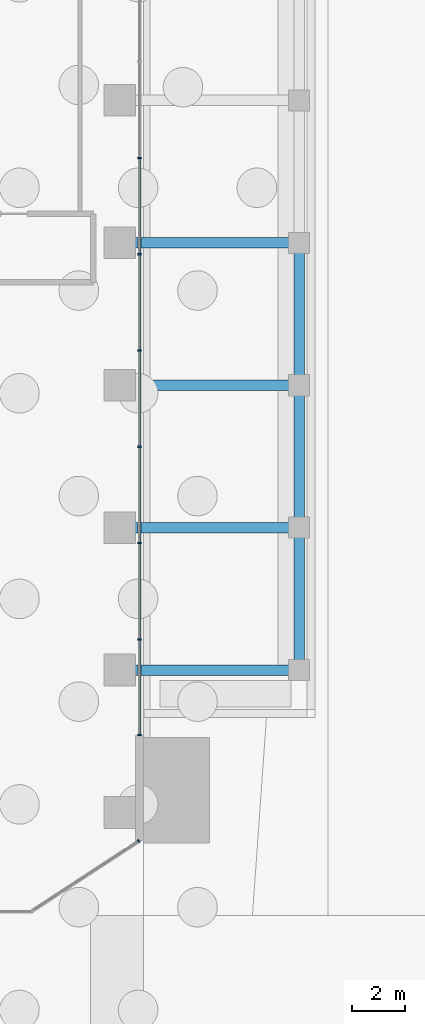
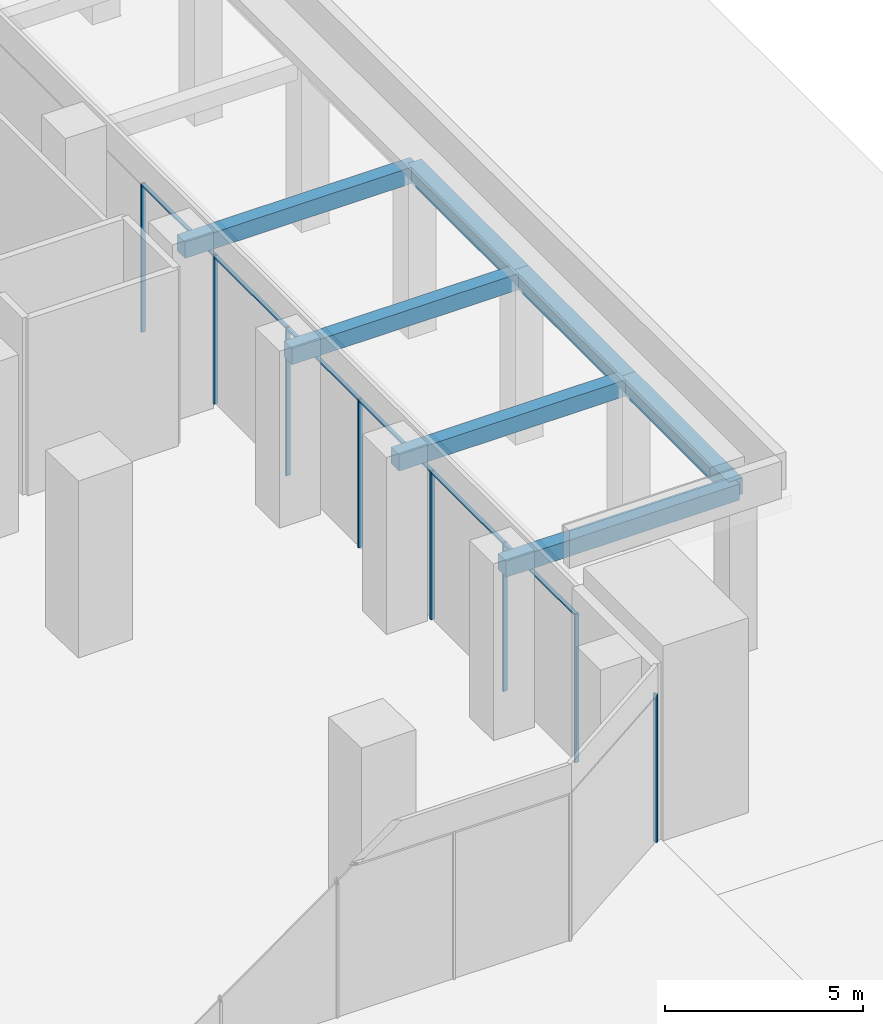
# One storey, part 29 of 46: 14 members, 7 beams, 2 elements without a shape of their own.
"""IFC4 building model written with IfcOpenShell, lengths in metres."""

from ifc_helpers import new_model, si_unit, direction, frame, origin, origin_2d, place, context, subcontext, project, spatial, rectangle, extrude, material, material_profile, profile_set, type_object, element, aggregate, save


model = new_model("IFC4")

# Units and contexts
model_context = context("Model", 3, precision=1e-05, world=origin(), true_north=direction((0.0, 1.0)))
body_context = subcontext(model_context, "Body", "Model", "MODEL_VIEW")
ifc_project = project(units=[si_unit("LENGTHUNIT", "METRE"), si_unit("AREAUNIT", "SQUARE_METRE"), si_unit("VOLUMEUNIT", "CUBIC_METRE"), si_unit("PLANEANGLEUNIT", "RADIAN"), si_unit("MASSUNIT", "GRAM", prefix="KILO")], contexts=[model_context])

# Site, building, storey
site_placement = place(None, origin())
site = spatial("IfcSite", under=ifc_project, at=site_placement, CompositionType="ELEMENT")
building_placement = place(site_placement, origin())
building = spatial("IfcBuilding", under=site, at=building_placement, Name="Mangrove Gate Tower", CompositionType="ELEMENT")
storey_placement = place(building_placement, origin())
storey = spatial("IfcBuildingStorey", under=building, at=storey_placement, Name="L00", CompositionType="ELEMENT", Elevation=0.0)

# Beams
ifc_material_1 = material(Name="Concrete C70/85", Category="concrete")
ifc_material_profile_1 = material_profile(ifc_material_1, rectangle(XDim=0.39990234375, YDim=0.5, at=origin_2d()))
ifc_profile_set_1 = profile_set([ifc_material_profile_1], Name="Concrete C70/85")
beam_type = type_object("IfcBeamType", Name="Canopy beam RC 400x500 C70/85", PredefinedType="BEAM", material=ifc_profile_set_1)
beam_1_placement = place(storey_placement, frame((42.10009765625, -2.699951171875, 4.830078125), z_axis=(0.0, 1.0, 0.0), x_axis=(-1.0, 0.0, 0.0)))
element("IfcBeam", 1, at=beam_1_placement, inside=storey, type_object=beam_type, Name="Canopy beam L00 CEE00", PredefinedType="BEAM", context=body_context, shape_type="SweptSolid", body=[
    extrude(rectangle(XDim=0.39990234375, YDim=0.5, at=origin_2d()), origin(), (0.0, 0.0, 1.0), 5.39990234375),
])
beam_2_placement = place(storey_placement, frame((42.10009765625, 2.699951171875, 4.830078125), z_axis=(0.0, 1.0, 0.0), x_axis=(-1.0, 0.0, 0.0)))
element("IfcBeam", 2, at=beam_2_placement, inside=storey, type_object=beam_type, Name="Canopy beam L00 CEE01", PredefinedType="BEAM", context=body_context, shape_type="SweptSolid", body=[
    extrude(rectangle(XDim=0.39990234375, YDim=0.5, at=origin_2d()), origin(), (0.0, 0.0, 1.0), 5.400146484375),
])
beam_3_placement = place(storey_placement, frame((42.10009765625, 8.10009765625, 4.830078125), z_axis=(0.0, 1.0, 0.0), x_axis=(-1.0, 0.0, 0.0)))
element("IfcBeam", 3, at=beam_3_placement, inside=storey, type_object=beam_type, Name="Canopy beam L00 CEE02", PredefinedType="BEAM", context=body_context, shape_type="SweptSolid", body=[
    extrude(rectangle(XDim=0.39990234375, YDim=0.5, at=origin_2d()), origin(), (0.0, 0.0, 1.0), 5.39990234375),
])
for number, where, z_axis, x_axis, name in (
    (4, (35.300048828125, -2.699951171875, 4.830078125), (1.0, 0.0, 0.0), (0.0, 1.0, 0.0), "Canopy beam L00 CBE00"),
    (5, (35.300048828125, 2.699951171875, 4.830078125), (1.0, 0.0, 0.0), (0.0, 1.0, 0.0), "Canopy beam L00 CBE01"),
    (6, (35.300048828125, 8.10009765625, 4.830078125), (1.0, 0.0, 0.0), (0.0, 1.0, 0.0), "Canopy beam L00 CBE02"),
    (7, (35.300048828125, 13.5, 4.830078125), (1.0, 0.0, 0.0), (0.0, 1.0, 0.0), "Canopy beam L00 CBE03"),
):
    element("IfcBeam", number, at=place(storey_placement, frame(where, z_axis=z_axis, x_axis=x_axis)), inside=storey, type_object=beam_type, Name=name, PredefinedType="BEAM", context=body_context, shape_type="SweptSolid", body=[
        extrude(rectangle(XDim=0.39990234375, YDim=0.5, at=origin_2d()), origin(), (0.0, 0.0, 1.0), 6.800048828125),
    ])

# Curtain wall, member
ifc_material_2 = material(Name="Aluminium and glass curtain wall", Category="aluminium")
curtain_wall_type = type_object("IfcCurtainWallType", Name="Podium shopfront glazing wall", PredefinedType="NOTDEFINED", material=ifc_material_2)
curtain_wall_1_placement = place(storey_placement, origin())
curtain_wall_1 = element("IfcCurtainWall", 8, at=curtain_wall_1_placement, inside=storey, type_object=curtain_wall_type, Name="Podium shopfront glazing S9s1", PredefinedType="NOTDEFINED")
ifc_material_3 = material(Name="Aluminium alloy 6063-T6", Category="aluminium")
ifc_material_profile_2 = material_profile(ifc_material_3, rectangle(XDim=0.06005859375, YDim=0.1201171875, at=origin_2d()))
ifc_profile_set_2 = profile_set([ifc_material_profile_2], Name="Aluminium alloy 6063-T6")
member_type_1 = type_object("IfcMemberType", Name="Podium shopfront glazing mullion 60x120", PredefinedType="MULLION", material=ifc_profile_set_2)
member_1_placement = place(storey_placement, frame((36.02490234375, -9.185302734375, 0.0), z_axis=(0.0, 0.0, 1.0), x_axis=(0.836618528559, 0.54778594147, 0.0)))
member_1 = element("IfcMember", 9, at=member_1_placement, type_object=member_type_1, Name="CWS mullion 2", PredefinedType="MULLION", context=body_context, shape_type="SweptSolid", body=[
    extrude(rectangle(XDim=0.06005859375, YDim=0.1201171875, at=origin_2d()), origin(), (0.0, 0.0, 1.0), 4.570068359375),
])
aggregate(curtain_wall_1, [member_1])

# Curtain wall, members
curtain_wall_2_placement = place(storey_placement, origin())
curtain_wall_2 = element("IfcCurtainWall", 10, at=curtain_wall_2_placement, inside=storey, type_object=curtain_wall_type, Name="Podium shopfront glazing E10s1", PredefinedType="NOTDEFINED")
member_2_placement = place(storey_placement, frame((36.050048828125, -5.15478515625, 0.0), z_axis=(0.0, 0.0, 1.0), x_axis=(0.0, 1.0, 0.0)))
member_2 = element("IfcMember", 11, at=member_2_placement, type_object=member_type_1, Name="CWS mullion 1", PredefinedType="MULLION", context=body_context, shape_type="SweptSolid", body=[
    extrude(rectangle(XDim=0.06005859375, YDim=0.1201171875, at=origin_2d()), origin(), (0.0, 0.0, 1.0), 4.570068359375),
])
member_3_placement = place(storey_placement, frame((36.050048828125, -1.5341796875, 0.0), z_axis=(0.0, 0.0, 1.0), x_axis=(0.0, 1.0, 0.0)))
member_3 = element("IfcMember", 12, at=member_3_placement, type_object=member_type_1, Name="CWS mullion 2", PredefinedType="MULLION", context=body_context, shape_type="SweptSolid", body=[
    extrude(rectangle(XDim=0.06005859375, YDim=0.1201171875, at=origin_2d()), origin(), (0.0, 0.0, 1.0), 4.570068359375),
])
member_4_placement = place(storey_placement, frame((36.050048828125, 2.116455078125, 0.0), z_axis=(0.0, 0.0, 1.0), x_axis=(0.0, 1.0, 0.0)))
member_4 = element("IfcMember", 13, at=member_4_placement, type_object=member_type_1, Name="CWS mullion 3", PredefinedType="MULLION", context=body_context, shape_type="SweptSolid", body=[
    extrude(rectangle(XDim=0.06005859375, YDim=0.1201171875, at=origin_2d()), origin(), (0.0, 0.0, 1.0), 4.570068359375),
])
member_5_placement = place(storey_placement, frame((36.050048828125, 5.76708984375, 0.0), z_axis=(0.0, 0.0, 1.0), x_axis=(0.0, 1.0, 0.0)))
member_5 = element("IfcMember", 14, at=member_5_placement, type_object=member_type_1, Name="CWS mullion 4", PredefinedType="MULLION", context=body_context, shape_type="SweptSolid", body=[
    extrude(rectangle(XDim=0.06005859375, YDim=0.1201171875, at=origin_2d()), origin(), (0.0, 0.0, 1.0), 4.570068359375),
])
member_6_placement = place(storey_placement, frame((36.050048828125, 9.417724609375, 0.0), z_axis=(0.0, 0.0, 1.0), x_axis=(0.0, 1.0, 0.0)))
member_6 = element("IfcMember", 15, at=member_6_placement, type_object=member_type_1, Name="CWS mullion 5", PredefinedType="MULLION", context=body_context, shape_type="SweptSolid", body=[
    extrude(rectangle(XDim=0.06005859375, YDim=0.1201171875, at=origin_2d()), origin(), (0.0, 0.0, 1.0), 4.570068359375),
])
member_7_placement = place(storey_placement, frame((36.050048828125, 13.068115234375, 0.0), z_axis=(0.0, 0.0, 1.0), x_axis=(0.0, 1.0, 0.0)))
member_7 = element("IfcMember", 16, at=member_7_placement, type_object=member_type_1, Name="CWS mullion 6", PredefinedType="MULLION", context=body_context, shape_type="SweptSolid", body=[
    extrude(rectangle(XDim=0.06005859375, YDim=0.1201171875, at=origin_2d()), origin(), (0.0, 0.0, 1.0), 4.570068359375),
])
member_8_placement = place(storey_placement, frame((36.050048828125, 16.71875, 0.0), z_axis=(0.0, 0.0, 1.0), x_axis=(0.0, 1.0, 0.0)))
member_8 = element("IfcMember", 17, at=member_8_placement, type_object=member_type_1, Name="CWS mullion 7", PredefinedType="MULLION", context=body_context, shape_type="SweptSolid", body=[
    extrude(rectangle(XDim=0.06005859375, YDim=0.1201171875, at=origin_2d()), origin(), (0.0, 0.0, 1.0), 4.570068359375),
])
ifc_material_4 = material(Name="Aluminium alloy 6063-T6", Category="aluminium")
ifc_material_profile_3 = material_profile(ifc_material_4, rectangle(XDim=0.06005859375, YDim=0.10009765625, at=origin_2d()))
ifc_profile_set_3 = profile_set([ifc_material_profile_3], Name="Aluminium alloy 6063-T6")
member_type_2 = type_object("IfcMemberType", Name="Podium shopfront glazing transom 60x100", PredefinedType="USERDEFINED", material=ifc_profile_set_3)
member_9_placement = place(storey_placement, frame((36.050048828125, -5.124755859375, 4.5400390625), z_axis=(0.0, 1.0, 0.0), x_axis=(0.0, 0.0, 1.0)))
member_9 = element("IfcMember", 18, at=member_9_placement, type_object=member_type_2, Name="CWS transom 1.2", ObjectType="TRANSOM", PredefinedType="USERDEFINED", context=body_context, shape_type="SweptSolid", body=[
    extrude(rectangle(XDim=0.06005859375, YDim=0.10009765625, at=origin_2d()), origin(), (0.0, 0.0, 1.0), 3.560546875),
])
member_10_placement = place(storey_placement, frame((36.050048828125, -1.504150390625, 4.5400390625), z_axis=(0.0, 1.0, 0.0), x_axis=(0.0, 0.0, 1.0)))
member_10 = element("IfcMember", 19, at=member_10_placement, type_object=member_type_2, Name="CWS transom 2.2", ObjectType="TRANSOM", PredefinedType="USERDEFINED", context=body_context, shape_type="SweptSolid", body=[
    extrude(rectangle(XDim=0.06005859375, YDim=0.10009765625, at=origin_2d()), origin(), (0.0, 0.0, 1.0), 3.590576171875),
])
member_11_placement = place(storey_placement, frame((36.050048828125, 2.146484375, 4.5400390625), z_axis=(0.0, 1.0, 0.0), x_axis=(0.0, 0.0, 1.0)))
member_11 = element("IfcMember", 20, at=member_11_placement, type_object=member_type_2, Name="CWS transom 3.2", ObjectType="TRANSOM", PredefinedType="USERDEFINED", context=body_context, shape_type="SweptSolid", body=[
    extrude(rectangle(XDim=0.06005859375, YDim=0.10009765625, at=origin_2d()), origin(), (0.0, 0.0, 1.0), 3.590576171875),
])
member_12_placement = place(storey_placement, frame((36.050048828125, 5.797119140625, 4.5400390625), z_axis=(0.0, 1.0, 0.0), x_axis=(0.0, 0.0, 1.0)))
member_12 = element("IfcMember", 21, at=member_12_placement, type_object=member_type_2, Name="CWS transom 4.2", ObjectType="TRANSOM", PredefinedType="USERDEFINED", context=body_context, shape_type="SweptSolid", body=[
    extrude(rectangle(XDim=0.06005859375, YDim=0.10009765625, at=origin_2d()), origin(), (0.0, 0.0, 1.0), 3.590576171875),
])
member_13_placement = place(storey_placement, frame((36.050048828125, 9.44775390625, 4.5400390625), z_axis=(0.0, 1.0, 0.0), x_axis=(0.0, 0.0, 1.0)))
member_13 = element("IfcMember", 22, at=member_13_placement, type_object=member_type_2, Name="CWS transom 5.2", ObjectType="TRANSOM", PredefinedType="USERDEFINED", context=body_context, shape_type="SweptSolid", body=[
    extrude(rectangle(XDim=0.06005859375, YDim=0.10009765625, at=origin_2d()), origin(), (0.0, 0.0, 1.0), 3.590576171875),
])
member_14_placement = place(storey_placement, frame((36.050048828125, 13.09814453125, 4.5400390625), z_axis=(0.0, 1.0, 0.0), x_axis=(0.0, 0.0, 1.0)))
member_14 = element("IfcMember", 23, at=member_14_placement, type_object=member_type_2, Name="CWS transom 6.2", ObjectType="TRANSOM", PredefinedType="USERDEFINED", context=body_context, shape_type="SweptSolid", body=[
    extrude(rectangle(XDim=0.06005859375, YDim=0.10009765625, at=origin_2d()), origin(), (0.0, 0.0, 1.0), 3.590576171875),
])
aggregate(curtain_wall_2, [member_2, member_3, member_4, member_5, member_6, member_7, member_8, member_9, member_10, member_11, member_12, member_13, member_14])

save(model, "model.ifc")
